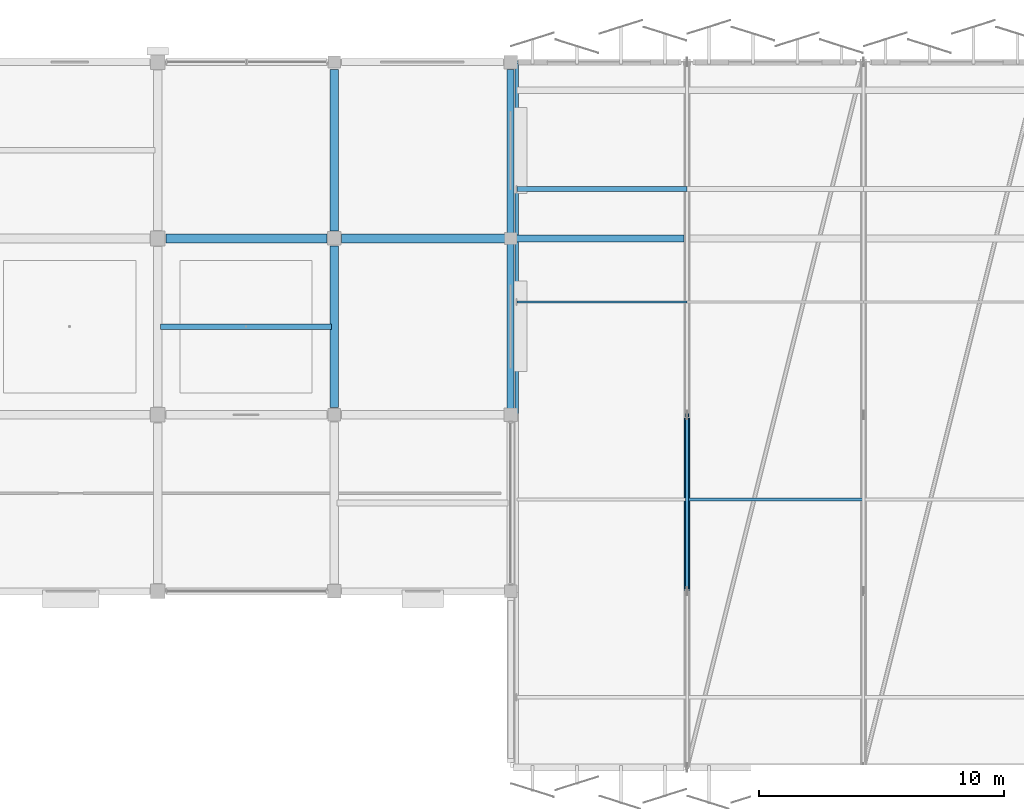
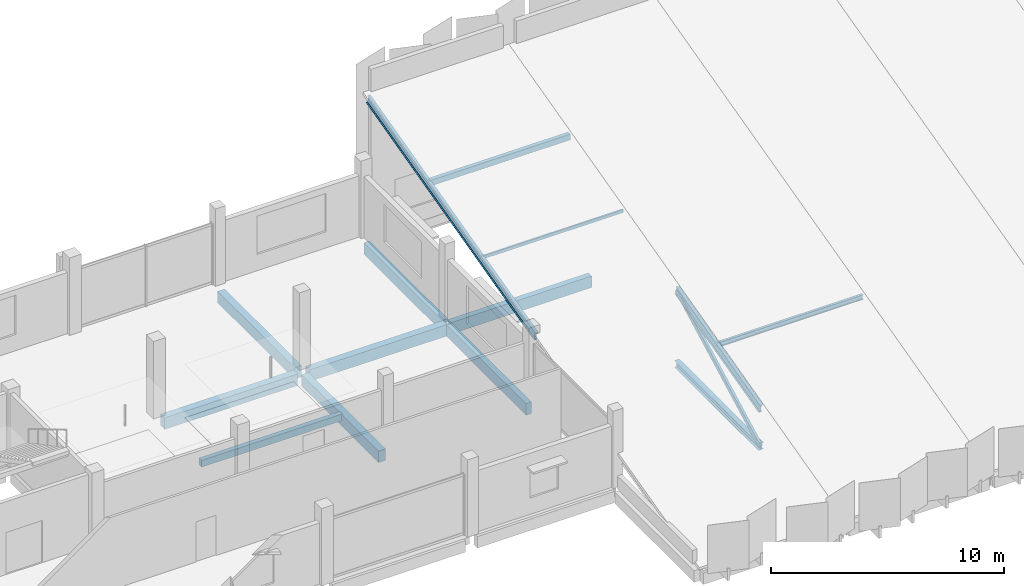
# One storey, part 25 of 108: 8 beams, 7 members.
"""IFC4 building model written with IfcOpenShell, lengths in metres."""

from ifc_helpers import new_model, si_unit, direction, frame, origin, origin_2d, place, context, subcontext, project, spatial, rectangle, hollow_rectangle, i_section, extrude, material, material_profile, profile_set, type_object, element, save


model = new_model("IFC4")

# Units and contexts
model_context = context("Model", 3, precision=1e-05, world=origin(), true_north=direction((0.0, 1.0)))
body_context = subcontext(model_context, "Body", "Model", "MODEL_VIEW")
ifc_project = project(units=[si_unit("LENGTHUNIT", "METRE"), si_unit("AREAUNIT", "SQUARE_METRE"), si_unit("VOLUMEUNIT", "CUBIC_METRE"), si_unit("PLANEANGLEUNIT", "RADIAN"), si_unit("MASSUNIT", "GRAM", prefix="KILO")], contexts=[model_context])

# Site, building, storey
site_placement = place(None, origin())
site = spatial("IfcSite", under=ifc_project, at=site_placement, CompositionType="ELEMENT")
building_placement = place(site_placement, origin())
building = spatial("IfcBuilding", under=site, at=building_placement, Name="Kangsadwip Square Police Headquarters", CompositionType="ELEMENT")
storey_placement = place(building_placement, frame((0.0, 0.0, 9.449951171875)))
storey = spatial("IfcBuildingStorey", under=building, at=storey_placement, Name="L02", CompositionType="ELEMENT", Elevation=9.449951171875)

# Beams
ifc_material_1 = material(Name="Concrete M35 (35 MPa)", Category="concrete")
ifc_material_profile_1 = material_profile(ifc_material_1, rectangle(XDim=0.35009765625, YDim=0.60009765625, at=origin_2d()), Name="RC BM 600X350")
ifc_profile_set_1 = profile_set([ifc_material_profile_1], Name="Concrete M35 (35 MPa)")
beam_type_1 = type_object("IfcBeamType", Name="RcBeam600x350", PredefinedType="BEAM", material=ifc_profile_set_1)
beam_1_placement = place(storey_placement, frame((29.125, 108.0, -0.5400390625), z_axis=(1.0, 0.0, 0.0), x_axis=(0.0, 1.0, 0.0)))
element("IfcBeam", 1, at=beam_1_placement, inside=storey, type_object=beam_type_1, Name="Beam BM-L02-X-04-15", PredefinedType="BEAM", context=body_context, shape_type="SweptSolid", body=[
    extrude(rectangle(XDim=0.35009765625, YDim=0.60009765625, at=origin_2d()), origin(), (0.0, 0.0, 1.0), 6.574951171875),
])
beam_2_placement = place(storey_placement, frame((36.300048828125, 108.0, -0.5400390625), z_axis=(1.0, 0.0, 0.0), x_axis=(0.0, 1.0, 0.0)))
element("IfcBeam", 2, at=beam_2_placement, inside=storey, type_object=beam_type_1, Name="Beam BM-L02-X-05-15", PredefinedType="BEAM", context=body_context, shape_type="SweptSolid", body=[
    extrude(rectangle(XDim=0.35009765625, YDim=0.60009765625, at=origin_2d()), origin(), (0.0, 0.0, 1.0), 6.77490234375),
])
for number, where, z_axis, x_axis, name in (
    (3, (36.0, 101.10009765625, -0.5400390625), (0.0, 1.0, 0.0), (-1.0, 0.0, 0.0), "Beam BM-L02-Y-05-14"),
    (4, (36.0, 108.300048828125, -0.5400390625), (0.0, 1.0, 0.0), (-1.0, 0.0, 0.0), "Beam BM-L02-Y-05-15"),
):
    element("IfcBeam", number, at=place(storey_placement, frame(where, z_axis=z_axis, x_axis=x_axis)), inside=storey, type_object=beam_type_1, Name=name, PredefinedType="BEAM", context=body_context, shape_type="SweptSolid", body=[
        extrude(rectangle(XDim=0.35009765625, YDim=0.60009765625, at=origin_2d()), origin(), (0.0, 0.0, 1.0), 6.599853515625),
    ])
ifc_material_2 = material(Name="Concrete M35 (35 MPa)", Category="concrete")
ifc_material_profile_2 = material_profile(ifc_material_2, rectangle(XDim=0.22998046875, YDim=0.35009765625, at=origin_2d()), Name="RC JST 350X230")
ifc_profile_set_2 = profile_set([ifc_material_profile_2], Name="Concrete M35 (35 MPa)")
beam_type_2 = type_object("IfcBeamType", Name="RcJoist350x230", PredefinedType="JOIST", material=ifc_profile_set_2)
beam_3_placement = place(storey_placement, frame((28.909912109375, 104.39990234375, -0.4150390625), z_axis=(1.0, 0.0, 0.0), x_axis=(0.0, 1.0, 0.0)))
element("IfcBeam", 5, at=beam_3_placement, inside=storey, type_object=beam_type_2, Name="Secondary Joist JST-L02-04-14", PredefinedType="JOIST", context=body_context, shape_type="SweptSolid", body=[
    extrude(rectangle(XDim=0.22998046875, YDim=0.35009765625, at=origin_2d()), origin(), (0.0, 0.0, 1.0), 6.97998046875),
])
ifc_material_3 = material(Name="Concrete M40 (40 MPa)", Category="concrete")
ifc_material_profile_3 = material_profile(ifc_material_3, rectangle(XDim=0.280029296875, YDim=0.60009765625, at=origin_2d()), Name="RC SPN 600X280")
ifc_profile_set_3 = profile_set([ifc_material_profile_3], Name="Concrete M40 (40 MPa)")
beam_type_3 = type_object("IfcBeamType", Name="RcSpandrel600x280", PredefinedType="SPANDREL", material=ifc_profile_set_3)
beam_4_placement = place(storey_placement, frame((43.324951171875, 108.0, -0.5400390625), z_axis=(1.0, 0.0, 0.0), x_axis=(0.0, 1.0, 0.0)))
element("IfcBeam", 6, at=beam_4_placement, inside=storey, type_object=beam_type_3, Name="Beam BM-L02-X-06-15", PredefinedType="SPANDREL", context=body_context, shape_type="SweptSolid", body=[
    extrude(rectangle(XDim=0.280029296875, YDim=0.60009765625, at=origin_2d()), origin(), (0.0, 0.0, 1.0), 6.949951171875),
])
beam_5_placement = place(storey_placement, frame((43.199951171875, 101.0, -0.5400390625), z_axis=(0.0, 1.0, 0.0), x_axis=(-1.0, 0.0, 0.0)))
element("IfcBeam", 7, at=beam_5_placement, inside=storey, type_object=beam_type_3, Name="Beam BM-L02-Y-06-14", PredefinedType="SPANDREL", context=body_context, shape_type="SweptSolid", body=[
    extrude(rectangle(XDim=0.280029296875, YDim=0.60009765625, at=origin_2d()), origin(), (0.0, 0.0, 1.0), 6.800048828125),
])
beam_6_placement = place(storey_placement, frame((43.199951171875, 108.199951171875, -0.5400390625), z_axis=(0.0, 1.0, 0.0), x_axis=(-1.0, 0.0, 0.0)))
element("IfcBeam", 8, at=beam_6_placement, inside=storey, type_object=beam_type_3, Name="Beam BM-L02-Y-06-15", PredefinedType="SPANDREL", context=body_context, shape_type="SweptSolid", body=[
    extrude(rectangle(XDim=0.280029296875, YDim=0.60009765625, at=origin_2d()), origin(), (0.0, 0.0, 1.0), 6.699951171875),
])

# Members
ifc_material_4 = material(Name="Structural steel IS 2062 E350 (Grade 350, 350 MPa)", Category="steel")
ifc_material_profile_4 = material_profile(ifc_material_4, i_section(OverallWidth=0.125, OverallDepth=0.25, WebThickness=0.0068359375, FlangeThickness=0.012451171875, at=origin_2d()), Name="ISMB 250")
ifc_profile_set_4 = profile_set([ifc_material_profile_4], Name="Structural steel IS 2062 E350 (Grade 350, 350 MPa)")
member_type_1 = type_object("IfcMemberType", Name="RoofPurlinIsmb250", PredefinedType="PURLIN", material=ifc_profile_set_4)
member_1_placement = place(storey_placement, frame((50.39990234375, 97.343994140625, 2.507080078125), z_axis=(1.0, 0.0, 0.0), x_axis=(0.0, 1.0, 0.0)))
element("IfcMember", 9, at=member_1_placement, inside=storey, type_object=member_type_1, Name="Truss Member MEM-L02-0085", PredefinedType="PURLIN", context=body_context, shape_type="SweptSolid", body=[
    extrude(i_section(OverallWidth=0.125, OverallDepth=0.25, WebThickness=0.0068359375, FlangeThickness=0.012451171875, at=origin_2d()), origin(), (0.0, 0.0, 1.0), 7.2001953125),
])
ifc_material_5 = material(Name="Structural steel IS 2062 E350 (Grade 350, 350 MPa)", Category="steel")
ifc_material_profile_5 = material_profile(ifc_material_5, hollow_rectangle(XDim=0.080078125, YDim=0.159912109375, WallThickness=0.006103515625, at=origin_2d()), Name="RHS 160X80X6")
ifc_profile_set_5 = profile_set([ifc_material_profile_5], Name="Structural steel IS 2062 E350 (Grade 350, 350 MPa)")
member_type_2 = type_object("IfcMemberType", Name="RoofPurlinRhs160", PredefinedType="PURLIN", material=ifc_profile_set_5)
member_2_placement = place(storey_placement, frame((43.449951171875, 105.407958984375, 4.6240234375), z_axis=(1.0, 0.0, 0.0), x_axis=(0.0, 1.0, 0.0)))
element("IfcMember", 10, at=member_2_placement, inside=storey, type_object=member_type_2, Name="Truss Member MEM-L02-0081", PredefinedType="PURLIN", context=body_context, shape_type="SweptSolid", body=[
    extrude(hollow_rectangle(XDim=0.080078125, YDim=0.159912109375, WallThickness=0.006103515625, at=origin_2d()), origin(), (0.0, 0.0, 1.0), 6.949951171875),
])
ifc_material_6 = material(Name="Structural steel IS 2062 E350 (Grade 350, 350 MPa)", Category="steel")
ifc_material_profile_6 = material_profile(ifc_material_6, hollow_rectangle(XDim=0.199951171875, YDim=0.300048828125, WallThickness=0.011962890625, at=origin_2d()), Name="RHS 300X200X12")
ifc_profile_set_6 = profile_set([ifc_material_profile_6], Name="Structural steel IS 2062 E350 (Grade 350, 350 MPa)")
member_type_3 = type_object("IfcMemberType", Name="RoofPurlinRhs300", PredefinedType="PURLIN", material=ifc_profile_set_6)
member_3_placement = place(storey_placement, frame((43.449951171875, 110.01611328125, 5.738037109375), z_axis=(1.0, 0.0, 0.0), x_axis=(0.0, 1.0, 0.0)))
element("IfcMember", 11, at=member_3_placement, inside=storey, type_object=member_type_3, Name="Truss Member MEM-L02-0082", PredefinedType="PURLIN", context=body_context, shape_type="SweptSolid", body=[
    extrude(hollow_rectangle(XDim=0.199951171875, YDim=0.300048828125, WallThickness=0.011962890625, at=origin_2d()), origin(), (0.0, 0.0, 1.0), 6.949951171875),
])
ifc_material_7 = material(Name="Structural steel IS 2062 E350 (Grade 350, 350 MPa)", Category="steel")
ifc_material_profile_7 = material_profile(ifc_material_7, i_section(OverallWidth=0.14990234375, OverallDepth=0.449951171875, WebThickness=0.009521484375, FlangeThickness=0.017333984375, at=origin_2d()), Name="ISMB 450")
ifc_profile_set_7 = profile_set([ifc_material_profile_7], Name="Structural steel IS 2062 E350 (Grade 350, 350 MPa)")
member_type_4 = type_object("IfcMemberType", Name="SawtoothRafterIsmb450", PredefinedType="RAFTER", material=ifc_profile_set_7)
member_4_placement = place(storey_placement, frame((43.449951171875, 100.800048828125, 3.280029296875), z_axis=(0.0, 0.968539651086, 0.248859286091), x_axis=(-1.0, 0.0, 0.0)))
element("IfcMember", 12, at=member_4_placement, inside=storey, type_object=member_type_4, Name="Truss Member MEM-L02-0003", PredefinedType="RAFTER", context=body_context, shape_type="SweptSolid", body=[
    extrude(i_section(OverallWidth=0.14990234375, OverallDepth=0.449951171875, WebThickness=0.009521484375, FlangeThickness=0.017333984375, at=origin_2d()), origin(), (0.0, 0.0, 1.0), 14.86767578125),
])
member_5_placement = place(storey_placement, frame((50.39990234375, 93.60009765625, 1.429931640625), z_axis=(0.0, 0.96853569304, 0.248874689968), x_axis=(-1.0, 0.0, 0.0)))
element("IfcMember", 13, at=member_5_placement, inside=storey, type_object=member_type_4, Name="Truss Member MEM-L02-0008", PredefinedType="RAFTER", context=body_context, shape_type="SweptSolid", body=[
    extrude(i_section(OverallWidth=0.14990234375, OverallDepth=0.449951171875, WebThickness=0.009521484375, FlangeThickness=0.017333984375, at=origin_2d()), origin(), (0.0, 0.0, 1.0), 7.433837890625),
])
ifc_material_8 = material(Name="Structural steel IS 2062 E350 (Grade 350, 350 MPa)", Category="steel")
ifc_material_profile_8 = material_profile(ifc_material_8, i_section(OverallWidth=0.25, OverallDepth=0.35009765625, WebThickness=0.010009765625, FlangeThickness=0.01171875, at=origin_2d()), Name="ISHB 350")
ifc_profile_set_8 = profile_set([ifc_material_profile_8], Name="Structural steel IS 2062 E350 (Grade 350, 350 MPa)")
member_type_5 = type_object("IfcMemberType", Name="TrussBotChordIshb350", PredefinedType="CHORD", material=ifc_profile_set_8)
member_6_placement = place(storey_placement, frame((50.39990234375, 93.60009765625, -0.550048828125), z_axis=(0.0, 1.0, 0.0), x_axis=(-1.0, 0.0, 0.0)))
element("IfcMember", 14, at=member_6_placement, inside=storey, type_object=member_type_5, Name="Truss Member MEM-L02-0005", PredefinedType="CHORD", context=body_context, shape_type="SweptSolid", body=[
    extrude(i_section(OverallWidth=0.25, OverallDepth=0.35009765625, WebThickness=0.010009765625, FlangeThickness=0.01171875, at=origin_2d()), origin(), (0.0, 0.0, 1.0), 7.199951171875),
])
ifc_material_9 = material(Name="Structural steel IS 2062 E350 (Grade 350, 350 MPa)", Category="steel")
ifc_material_profile_9 = material_profile(ifc_material_9, hollow_rectangle(XDim=0.1201171875, YDim=0.239990234375, WallThickness=0.008056640625, at=origin_2d()), Name="RHS 240X120X8")
ifc_profile_set_9 = profile_set([ifc_material_profile_9], Name="Structural steel IS 2062 E350 (Grade 350, 350 MPa)")
member_type_6 = type_object("IfcMemberType", Name="TrussBraceRhs240", PredefinedType="BRACE", material=ifc_profile_set_9)
member_7_placement = place(storey_placement, frame((50.39990234375, 93.60009765625, -0.550048828125), z_axis=(0.0, 0.882856279608, 0.469643257756), x_axis=(-1.0, 0.0, 0.0)))
element("IfcMember", 15, at=member_7_placement, inside=storey, type_object=member_type_6, Name="Truss Member MEM-L02-0014", PredefinedType="BRACE", context=body_context, shape_type="SweptSolid", body=[
    extrude(hollow_rectangle(XDim=0.1201171875, YDim=0.239990234375, WallThickness=0.008056640625, at=origin_2d()), origin(), (0.0, 0.0, 1.0), 8.1552734375),
])

save(model, "model.ifc")
